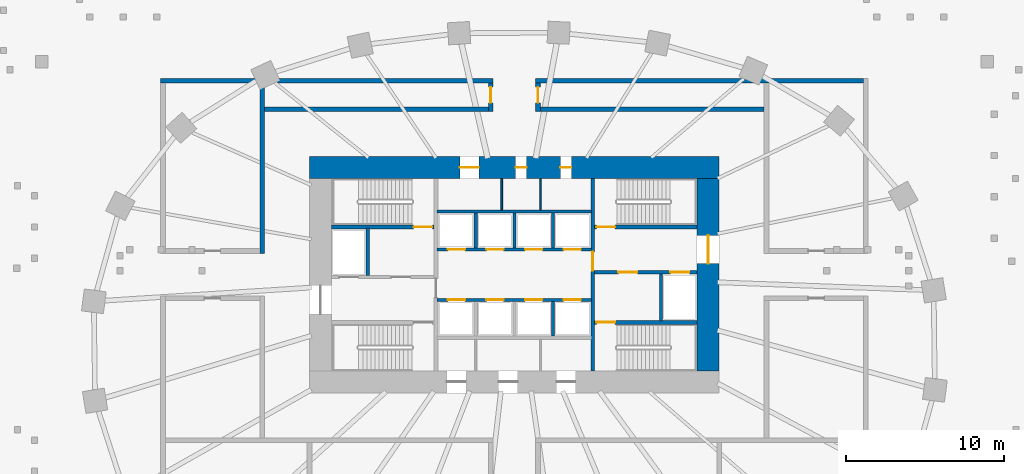
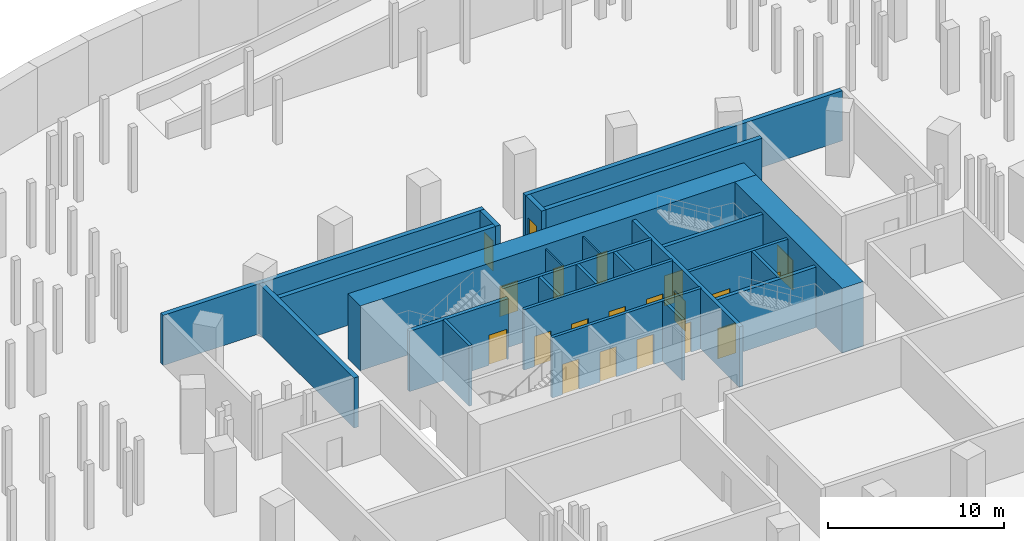
# One storey, part 5 of 9: 25 walls, 20 doors, 20 openings.
"""IFC4 building model written with IfcOpenShell, lengths in metres."""

from ifc_helpers import new_model, si_unit, direction, frame, frame_2d, origin, place, context, subcontext, project, spatial, rectangle, extrude, material, layer, layer_set, type_object, element, fill, save


model = new_model("IFC4")

# Units and contexts
model_context = context("Model", 3, precision=1e-05, world=origin(), true_north=direction((0.0, 1.0)))
body_context = subcontext(model_context, "Body", "Model", "MODEL_VIEW")
ifc_project = project(units=[si_unit("LENGTHUNIT", "METRE"), si_unit("AREAUNIT", "SQUARE_METRE"), si_unit("VOLUMEUNIT", "CUBIC_METRE"), si_unit("PLANEANGLEUNIT", "RADIAN"), si_unit("MASSUNIT", "GRAM", prefix="KILO")], contexts=[model_context])

# Site, building, storey
site_placement = place(None, origin())
site = spatial("IfcSite", under=ifc_project, at=site_placement, CompositionType="ELEMENT")
building_placement = place(site_placement, origin())
building = spatial("IfcBuilding", under=site, at=building_placement, Name="Rubra Terraces Tower", CompositionType="ELEMENT")
storey_placement = place(building_placement, frame((0.0, 0.0, -10.5)))
storey = spatial("IfcBuildingStorey", under=building, at=storey_placement, Name="B2", CompositionType="ELEMENT", Elevation=-10.5)

# Wall, openings, doors
ifc_material_1 = material(Name="Concrete C70", Category="concrete")
ifc_layer_1 = layer(ifc_material_1, 1.39990234375)
ifc_layer_set_1 = layer_set([ifc_layer_1], Name="Concrete C70")
wall_type_1 = type_object("IfcWallType", Name="CORE WALL 1400 C70", PredefinedType="SHEAR", material=ifc_layer_set_1)
wall_1_placement = place(storey_placement, frame((-13.0, 11.300048828125, 0.0), z_axis=(0.0, 0.0, 1.0), x_axis=(1.0, 0.0, 0.0)))
wall_1 = element("IfcWall", 1, at=wall_1_placement, inside=storey, type_object=wall_type_1, Name="CORE WALL N B2", PredefinedType="SHEAR", context=body_context, shape_type="SweptSolid", body=[
    extrude(rectangle(XDim=26.0, YDim=1.39990234375, at=frame_2d((13.0, 0.0))), origin(), (0.0, 0.0, 1.0), 4.5),
])
opening_1_placement = place(wall_1_placement, frame((9.550048828125, 0.0, 0.0)))
opening_1 = element("IfcOpeningElement", 2, at=opening_1_placement, cuts=wall_1, Name="Opening B2.C24", PredefinedType="OPENING", context=body_context, shape_type="SweptSolid", body=[
    extrude(rectangle(XDim=1.199951171875, YDim=2.10009765625, at=frame_2d((0.60009765625, 1.050048828125))), frame((0.0, 0.7099609375, 0.0), z_axis=(0.0, -1.0, 0.0), x_axis=(1.0, 0.0, 0.0)), (0.0, 0.0, 1.0), 1.419921875),
])
opening_2_placement = place(wall_1_placement, frame((13.074951171875, 0.0, 0.0)))
opening_2 = element("IfcOpeningElement", 3, at=opening_2_placement, cuts=wall_1, Name="Opening B2.C25", PredefinedType="OPENING", context=body_context, shape_type="SweptSolid", body=[
    extrude(rectangle(XDim=0.699951171875, YDim=2.10009765625, at=frame_2d((0.35009765625, 1.050048828125))), frame((0.0, 0.7099609375, 0.0), z_axis=(0.0, -1.0, 0.0), x_axis=(1.0, 0.0, 0.0)), (0.0, 0.0, 1.0), 1.419921875),
])
opening_3_placement = place(wall_1_placement, frame((15.925048828125, 0.0, 0.0)))
opening_3 = element("IfcOpeningElement", 4, at=opening_3_placement, cuts=wall_1, Name="Opening B2.C26", PredefinedType="OPENING", context=body_context, shape_type="SweptSolid", body=[
    extrude(rectangle(XDim=0.699951171875, YDim=2.10009765625, at=frame_2d((0.35009765625, 1.050048828125))), frame((0.0, 0.7099609375, 0.0), z_axis=(0.0, -1.0, 0.0), x_axis=(1.0, 0.0, 0.0)), (0.0, 0.0, 1.0), 1.419921875),
])
ifc_material_2 = material(Name="Painted steel", Category="steel")
door_type_1 = type_object("IfcDoorType", Name="Fire door 1200x2100 single", OperationType="NOTDEFINED", PredefinedType="DOOR", material=ifc_material_2)
door_1_placement = place(opening_1_placement, origin())
door_1 = element("IfcDoor", 5, at=door_1_placement, inside=storey, type_object=door_type_1, Name="Air handling plant room door", OperationType="SINGLE_SWING_RIGHT", OverallHeight=2.10009765625, OverallWidth=1.199951171875, PredefinedType="DOOR", context=body_context, shape_type="SweptSolid", body=[
    extrude(rectangle(XDim=1.199951171875, YDim=2.10009765625, at=frame_2d((0.60009765625, 1.050048828125))), frame((0.0, 0.02490234375, 0.0), z_axis=(0.0, -1.0, 0.0), x_axis=(1.0, 0.0, 0.0)), (0.0, 0.0, 1.0), 0.050048828125),
])
fill(opening_1, door_1)
door_type_2 = type_object("IfcDoorType", Name="Riser access door 700x2100 single", OperationType="NOTDEFINED", PredefinedType="DOOR", material=ifc_material_2)
door_2_placement = place(opening_2_placement, origin())
door_2 = element("IfcDoor", 6, at=door_2_placement, inside=storey, type_object=door_type_2, Name="Electrical riser room door", OperationType="SINGLE_SWING_LEFT", OverallHeight=2.10009765625, OverallWidth=0.699951171875, PredefinedType="DOOR", context=body_context, shape_type="SweptSolid", body=[
    extrude(rectangle(XDim=0.699951171875, YDim=2.10009765625, at=frame_2d((0.35009765625, 1.050048828125))), frame((0.0, 0.02490234375, 0.0), z_axis=(0.0, -1.0, 0.0), x_axis=(1.0, 0.0, 0.0)), (0.0, 0.0, 1.0), 0.050048828125),
])
fill(opening_2, door_2)
door_3_placement = place(opening_3_placement, origin())
door_3 = element("IfcDoor", 7, at=door_3_placement, inside=storey, type_object=door_type_2, Name="Water and drainage riser door", OperationType="SINGLE_SWING_RIGHT", OverallHeight=2.10009765625, OverallWidth=0.699951171875, PredefinedType="DOOR", context=body_context, shape_type="SweptSolid", body=[
    extrude(rectangle(XDim=0.699951171875, YDim=2.10009765625, at=frame_2d((0.35009765625, 1.050048828125))), frame((0.0, 0.02490234375, 0.0), z_axis=(0.0, -1.0, 0.0), x_axis=(1.0, 0.0, 0.0)), (0.0, 0.0, 1.0), 0.050048828125),
])
fill(opening_3, door_3)

# Wall, opening, door
wall_2_placement = place(storey_placement, frame((12.300048828125, -1.60009765625, 0.0), z_axis=(0.0, 0.0, 1.0), x_axis=(0.0, 1.0, 0.0)))
wall_2 = element("IfcWall", 8, at=wall_2_placement, inside=storey, type_object=wall_type_1, Name="CORE WALL E B2", PredefinedType="SHEAR", context=body_context, shape_type="SweptSolid", body=[
    extrude(rectangle(XDim=12.2001953125, YDim=1.39990234375, at=frame_2d((6.10009765625, 0.0))), origin(), (0.0, 0.0, 1.0), 4.5),
])
opening_4_placement = place(wall_2_placement, frame((6.800048828125, 0.0, 0.0)))
opening_4 = element("IfcOpeningElement", 9, at=opening_4_placement, cuts=wall_2, Name="Opening B2.C02", PredefinedType="OPENING", context=body_context, shape_type="SweptSolid", body=[
    extrude(rectangle(XDim=1.800048828125, YDim=2.10009765625, at=frame_2d((0.89990234375, 1.050048828125))), frame((0.0, 0.7099609375, 0.0), z_axis=(0.0, -1.0, 0.0), x_axis=(1.0, 0.0, 0.0)), (0.0, 0.0, 1.0), 1.419921875),
])
door_type_3 = type_object("IfcDoorType", Name="Fire door 1800x2100 double", OperationType="NOTDEFINED", PredefinedType="DOOR", material=ifc_material_2)
door_4_placement = place(opening_4_placement, origin())
door_4 = element("IfcDoor", 10, at=door_4_placement, inside=storey, type_object=door_type_3, Name="Core entrance door FF2", OperationType="DOUBLE_DOOR_SINGLE_SWING", OverallHeight=2.10009765625, OverallWidth=1.800048828125, PredefinedType="DOOR", context=body_context, shape_type="SweptSolid", body=[
    extrude(rectangle(XDim=1.800048828125, YDim=2.10009765625, at=frame_2d((0.89990234375, 1.050048828125))), frame((0.0, 0.02490234375, 0.0), z_axis=(0.0, -1.0, 0.0), x_axis=(1.0, 0.0, 0.0)), (0.0, 0.0, 1.0), 0.050048828125),
])
fill(opening_4, door_4)

# Wall, openings, doors
ifc_material_3 = material(Name="Concrete C30", Category="concrete")
ifc_layer_2 = layer(ifc_material_3, 0.199951171875)
ifc_layer_set_2 = layer_set([ifc_layer_2], Name="Concrete C30")
wall_type_2 = type_object("IfcWallType", Name="Core wall 200 concrete", PredefinedType="SOLIDWALL", material=ifc_layer_set_2)
wall_3_placement = place(storey_placement, frame((11.60009765625, 4.64990234375, 0.0), z_axis=(0.0, 0.0, 1.0), x_axis=(-1.0, 0.0, 0.0)))
wall_3 = element("IfcWall", 11, at=wall_3_placement, inside=storey, type_object=wall_type_2, Name="STAIR WALL B2", PredefinedType="SOLIDWALL", context=body_context, shape_type="SweptSolid", body=[
    extrude(rectangle(XDim=6.5, YDim=0.199951171875, at=frame_2d((3.25, 0.0))), origin(), (0.0, 0.0, 1.0), 4.199951171875),
])
opening_5_placement = place(wall_3_placement, frame((3.800048828125, 0.0, 0.0)))
opening_5 = element("IfcOpeningElement", 12, at=opening_5_placement, cuts=wall_3, Name="Opening B2.C06", PredefinedType="OPENING", context=body_context, shape_type="SweptSolid", body=[
    extrude(rectangle(XDim=1.199951171875, YDim=2.10009765625, at=frame_2d((0.60009765625, 1.050048828125))), frame((0.0, 0.10986328125, 0.0), z_axis=(0.0, -1.0, 0.0), x_axis=(1.0, 0.0, 0.0)), (0.0, 0.0, 1.0), 0.219970703125),
])
opening_6_placement = place(wall_3_placement, frame((0.5, 0.0, 0.0)))
opening_6 = element("IfcOpeningElement", 13, at=opening_6_placement, cuts=wall_3, Name="Opening B2.C12", PredefinedType="OPENING", context=body_context, shape_type="SweptSolid", body=[
    extrude(rectangle(XDim=1.199951171875, YDim=2.10009765625, at=frame_2d((0.60009765625, 1.050048828125))), frame((0.0, 0.10986328125, 0.0), z_axis=(0.0, -1.0, 0.0), x_axis=(1.0, 0.0, 0.0)), (0.0, 0.0, 1.0), 0.219970703125),
])
door_5_placement = place(opening_5_placement, origin())
door_5 = element("IfcDoor", 14, at=door_5_placement, inside=storey, type_object=door_type_1, Name="Stair vestibule door S4", OperationType="SINGLE_SWING_RIGHT", OverallHeight=2.10009765625, OverallWidth=1.199951171875, PredefinedType="DOOR", context=body_context, shape_type="SweptSolid", body=[
    extrude(rectangle(XDim=1.199951171875, YDim=2.10009765625, at=frame_2d((0.60009765625, 1.050048828125))), frame((0.0, 0.02490234375, 0.0), z_axis=(0.0, -1.0, 0.0), x_axis=(1.0, 0.0, 0.0)), (0.0, 0.0, 1.0), 0.050048828125),
])
fill(opening_5, door_5)
ifc_material_4 = material(Name="Stainless steel", Category="steel")
door_type_4 = type_object("IfcDoorType", Name="Lift landing door 1200x2100", OperationType="NOTDEFINED", PredefinedType="DOOR", material=ifc_material_4)
door_6_placement = place(opening_6_placement, origin())
door_6 = element("IfcDoor", 15, at=door_6_placement, inside=storey, type_object=door_type_4, Name="Landing door FF2", OperationType="SLIDING_TO_RIGHT", OverallHeight=2.10009765625, OverallWidth=1.199951171875, PredefinedType="DOOR", context=body_context, shape_type="SweptSolid", body=[
    extrude(rectangle(XDim=1.199951171875, YDim=2.10009765625, at=frame_2d((0.60009765625, 1.050048828125))), frame((0.0, 0.02490234375, 0.0), z_axis=(0.0, -1.0, 0.0), x_axis=(1.0, 0.0, 0.0)), (0.0, 0.0, 1.0), 0.050048828125),
])
fill(opening_6, door_6)

# Walls
for number, where, z_axis, x_axis, name in (
    (16, (-9.300048828125, 4.449951171875, 0.0), (0.0, 0.0, 1.0), (0.0, 1.0, 0.0), "STAIR WALL B2"),
    (17, (9.300048828125, 4.550048828125, 0.0), (0.0, 0.0, 1.0), (0.0, -1.0, 0.0), "STAIR WALL B2"),
):
    element("IfcWall", number, at=place(storey_placement, frame(where, z_axis=z_axis, x_axis=x_axis)), inside=storey, type_object=wall_type_2, Name=name, PredefinedType="SOLIDWALL", context=body_context, shape_type="SweptSolid", body=[
        extrude(rectangle(XDim=3.0, YDim=0.199951171875, at=frame_2d((1.5, 0.0))), origin(), (0.0, 0.0, 1.0), 4.199951171875),
    ])

# Wall, openings, doors
wall_4_placement = place(storey_placement, frame((-4.89990234375, 2.89990234375, 0.0), z_axis=(0.0, 0.0, 1.0), x_axis=(1.0, 0.0, 0.0)))
wall_4 = element("IfcWall", 18, at=wall_4_placement, inside=storey, type_object=wall_type_2, Name="LIFT SHAFT WALL B2", PredefinedType="SOLIDWALL", context=body_context, shape_type="SweptSolid", body=[
    extrude(rectangle(XDim=9.7998046875, YDim=0.199951171875, at=frame_2d((4.89990234375, 0.0))), origin(), (0.0, 0.0, 1.0), 4.199951171875),
])
opening_7_placement = place(wall_4_placement, frame((0.675048828125, 0.0, 0.0)))
opening_7 = element("IfcOpeningElement", 19, at=opening_7_placement, cuts=wall_4, Name="Opening B2.C13", PredefinedType="OPENING", context=body_context, shape_type="SweptSolid", body=[
    extrude(rectangle(XDim=1.10009765625, YDim=2.10009765625, at=frame_2d((0.550048828125, 1.050048828125))), frame((0.0, 0.10986328125, 0.0), z_axis=(0.0, -1.0, 0.0), x_axis=(1.0, 0.0, 0.0)), (0.0, 0.0, 1.0), 0.219970703125),
])
opening_8_placement = place(wall_4_placement, frame((3.125, 0.0, 0.0)))
opening_8 = element("IfcOpeningElement", 20, at=opening_8_placement, cuts=wall_4, Name="Opening B2.C14", PredefinedType="OPENING", context=body_context, shape_type="SweptSolid", body=[
    extrude(rectangle(XDim=1.10009765625, YDim=2.10009765625, at=frame_2d((0.550048828125, 1.050048828125))), frame((0.0, 0.10986328125, 0.0), z_axis=(0.0, -1.0, 0.0), x_axis=(1.0, 0.0, 0.0)), (0.0, 0.0, 1.0), 0.219970703125),
])
opening_9_placement = place(wall_4_placement, frame((5.574951171875, 0.0, 0.0)))
opening_9 = element("IfcOpeningElement", 21, at=opening_9_placement, cuts=wall_4, Name="Opening B2.C15", PredefinedType="OPENING", context=body_context, shape_type="SweptSolid", body=[
    extrude(rectangle(XDim=1.10009765625, YDim=2.10009765625, at=frame_2d((0.550048828125, 1.050048828125))), frame((0.0, 0.10986328125, 0.0), z_axis=(0.0, -1.0, 0.0), x_axis=(1.0, 0.0, 0.0)), (0.0, 0.0, 1.0), 0.219970703125),
])
opening_10_placement = place(wall_4_placement, frame((8.02490234375, 0.0, 0.0)))
opening_10 = element("IfcOpeningElement", 22, at=opening_10_placement, cuts=wall_4, Name="Opening B2.C16", PredefinedType="OPENING", context=body_context, shape_type="SweptSolid", body=[
    extrude(rectangle(XDim=1.10009765625, YDim=2.10009765625, at=frame_2d((0.550048828125, 1.050048828125))), frame((0.0, 0.10986328125, 0.0), z_axis=(0.0, -1.0, 0.0), x_axis=(1.0, 0.0, 0.0)), (0.0, 0.0, 1.0), 0.219970703125),
])
door_type_5 = type_object("IfcDoorType", Name="Lift landing door 1100x2100", OperationType="NOTDEFINED", PredefinedType="DOOR", material=ifc_material_4)
door_7_placement = place(opening_7_placement, origin())
door_7 = element("IfcDoor", 23, at=door_7_placement, inside=storey, type_object=door_type_5, Name="Landing door LB1", OperationType="SLIDING_TO_RIGHT", OverallHeight=2.10009765625, OverallWidth=1.10009765625, PredefinedType="DOOR", context=body_context, shape_type="SweptSolid", body=[
    extrude(rectangle(XDim=1.10009765625, YDim=2.10009765625, at=frame_2d((0.550048828125, 1.050048828125))), frame((0.0, 0.02490234375, 0.0), z_axis=(0.0, -1.0, 0.0), x_axis=(1.0, 0.0, 0.0)), (0.0, 0.0, 1.0), 0.050048828125),
])
fill(opening_7, door_7)
door_8_placement = place(opening_8_placement, origin())
door_8 = element("IfcDoor", 24, at=door_8_placement, inside=storey, type_object=door_type_5, Name="Landing door LB2", OperationType="SLIDING_TO_LEFT", OverallHeight=2.10009765625, OverallWidth=1.10009765625, PredefinedType="DOOR", context=body_context, shape_type="SweptSolid", body=[
    extrude(rectangle(XDim=1.10009765625, YDim=2.10009765625, at=frame_2d((0.550048828125, 1.050048828125))), frame((0.0, 0.02490234375, 0.0), z_axis=(0.0, -1.0, 0.0), x_axis=(1.0, 0.0, 0.0)), (0.0, 0.0, 1.0), 0.050048828125),
])
fill(opening_8, door_8)
door_9_placement = place(opening_9_placement, origin())
door_9 = element("IfcDoor", 25, at=door_9_placement, inside=storey, type_object=door_type_5, Name="Landing door SH1", OperationType="SLIDING_TO_LEFT", OverallHeight=2.10009765625, OverallWidth=1.10009765625, PredefinedType="DOOR", context=body_context, shape_type="SweptSolid", body=[
    extrude(rectangle(XDim=1.10009765625, YDim=2.10009765625, at=frame_2d((0.550048828125, 1.050048828125))), frame((0.0, 0.02490234375, 0.0), z_axis=(0.0, -1.0, 0.0), x_axis=(1.0, 0.0, 0.0)), (0.0, 0.0, 1.0), 0.050048828125),
])
fill(opening_9, door_9)
door_10_placement = place(opening_10_placement, origin())
door_10 = element("IfcDoor", 26, at=door_10_placement, inside=storey, type_object=door_type_5, Name="Landing door SH2", OperationType="SLIDING_TO_RIGHT", OverallHeight=2.10009765625, OverallWidth=1.10009765625, PredefinedType="DOOR", context=body_context, shape_type="SweptSolid", body=[
    extrude(rectangle(XDim=1.10009765625, YDim=2.10009765625, at=frame_2d((0.550048828125, 1.050048828125))), frame((0.0, 0.02490234375, 0.0), z_axis=(0.0, -1.0, 0.0), x_axis=(1.0, 0.0, 0.0)), (0.0, 0.0, 1.0), 0.050048828125),
])
fill(opening_10, door_10)

wall_5_placement = place(storey_placement, frame((-4.89990234375, 6.10009765625, 0.0), z_axis=(0.0, 0.0, 1.0), x_axis=(1.0, 0.0, 0.0)))
wall_5 = element("IfcWall", 27, at=wall_5_placement, inside=storey, type_object=wall_type_2, Name="LIFT SHAFT WALL B2", PredefinedType="SOLIDWALL", context=body_context, shape_type="SweptSolid", body=[
    extrude(rectangle(XDim=9.7998046875, YDim=0.199951171875, at=frame_2d((4.89990234375, 0.0))), origin(), (0.0, 0.0, 1.0), 4.199951171875),
])
opening_11_placement = place(wall_5_placement, frame((0.675048828125, 0.0, 0.0)))
opening_11 = element("IfcOpeningElement", 28, at=opening_11_placement, cuts=wall_5, Name="Opening B2.C17", PredefinedType="OPENING", context=body_context, shape_type="SweptSolid", body=[
    extrude(rectangle(XDim=1.10009765625, YDim=2.10009765625, at=frame_2d((0.550048828125, 1.050048828125))), frame((0.0, 0.10986328125, 0.0), z_axis=(0.0, -1.0, 0.0), x_axis=(1.0, 0.0, 0.0)), (0.0, 0.0, 1.0), 0.219970703125),
])
opening_12_placement = place(wall_5_placement, frame((3.125, 0.0, 0.0)))
opening_12 = element("IfcOpeningElement", 29, at=opening_12_placement, cuts=wall_5, Name="Opening B2.C18", PredefinedType="OPENING", context=body_context, shape_type="SweptSolid", body=[
    extrude(rectangle(XDim=1.10009765625, YDim=2.10009765625, at=frame_2d((0.550048828125, 1.050048828125))), frame((0.0, 0.10986328125, 0.0), z_axis=(0.0, -1.0, 0.0), x_axis=(1.0, 0.0, 0.0)), (0.0, 0.0, 1.0), 0.219970703125),
])
opening_13_placement = place(wall_5_placement, frame((5.574951171875, 0.0, 0.0)))
opening_13 = element("IfcOpeningElement", 30, at=opening_13_placement, cuts=wall_5, Name="Opening B2.C19", PredefinedType="OPENING", context=body_context, shape_type="SweptSolid", body=[
    extrude(rectangle(XDim=1.10009765625, YDim=2.10009765625, at=frame_2d((0.550048828125, 1.050048828125))), frame((0.0, 0.10986328125, 0.0), z_axis=(0.0, -1.0, 0.0), x_axis=(1.0, 0.0, 0.0)), (0.0, 0.0, 1.0), 0.219970703125),
])
opening_14_placement = place(wall_5_placement, frame((8.02490234375, 0.0, 0.0)))
opening_14 = element("IfcOpeningElement", 31, at=opening_14_placement, cuts=wall_5, Name="Opening B2.C20", PredefinedType="OPENING", context=body_context, shape_type="SweptSolid", body=[
    extrude(rectangle(XDim=1.10009765625, YDim=2.10009765625, at=frame_2d((0.550048828125, 1.050048828125))), frame((0.0, 0.10986328125, 0.0), z_axis=(0.0, -1.0, 0.0), x_axis=(1.0, 0.0, 0.0)), (0.0, 0.0, 1.0), 0.219970703125),
])
door_11_placement = place(opening_11_placement, origin())
door_11 = element("IfcDoor", 32, at=door_11_placement, inside=storey, type_object=door_type_5, Name="Landing door LB3", OperationType="SLIDING_TO_RIGHT", OverallHeight=2.10009765625, OverallWidth=1.10009765625, PredefinedType="DOOR", context=body_context, shape_type="SweptSolid", body=[
    extrude(rectangle(XDim=1.10009765625, YDim=2.10009765625, at=frame_2d((0.550048828125, 1.050048828125))), frame((0.0, 0.02490234375, 0.0), z_axis=(0.0, -1.0, 0.0), x_axis=(1.0, 0.0, 0.0)), (0.0, 0.0, 1.0), 0.050048828125),
])
fill(opening_11, door_11)
door_12_placement = place(opening_12_placement, origin())
door_12 = element("IfcDoor", 33, at=door_12_placement, inside=storey, type_object=door_type_5, Name="Landing door LB4", OperationType="SLIDING_TO_LEFT", OverallHeight=2.10009765625, OverallWidth=1.10009765625, PredefinedType="DOOR", context=body_context, shape_type="SweptSolid", body=[
    extrude(rectangle(XDim=1.10009765625, YDim=2.10009765625, at=frame_2d((0.550048828125, 1.050048828125))), frame((0.0, 0.02490234375, 0.0), z_axis=(0.0, -1.0, 0.0), x_axis=(1.0, 0.0, 0.0)), (0.0, 0.0, 1.0), 0.050048828125),
])
fill(opening_12, door_12)
door_13_placement = place(opening_13_placement, origin())
door_13 = element("IfcDoor", 34, at=door_13_placement, inside=storey, type_object=door_type_5, Name="Landing door LB5", OperationType="SLIDING_TO_RIGHT", OverallHeight=2.10009765625, OverallWidth=1.10009765625, PredefinedType="DOOR", context=body_context, shape_type="SweptSolid", body=[
    extrude(rectangle(XDim=1.10009765625, YDim=2.10009765625, at=frame_2d((0.550048828125, 1.050048828125))), frame((0.0, 0.02490234375, 0.0), z_axis=(0.0, -1.0, 0.0), x_axis=(1.0, 0.0, 0.0)), (0.0, 0.0, 1.0), 0.050048828125),
])
fill(opening_13, door_13)
door_14_placement = place(opening_14_placement, origin())
door_14 = element("IfcDoor", 35, at=door_14_placement, inside=storey, type_object=door_type_5, Name="Landing door LB6", OperationType="SLIDING_TO_LEFT", OverallHeight=2.10009765625, OverallWidth=1.10009765625, PredefinedType="DOOR", context=body_context, shape_type="SweptSolid", body=[
    extrude(rectangle(XDim=1.10009765625, YDim=2.10009765625, at=frame_2d((0.550048828125, 1.050048828125))), frame((0.0, 0.02490234375, 0.0), z_axis=(0.0, -1.0, 0.0), x_axis=(1.0, 0.0, 0.0)), (0.0, 0.0, 1.0), 0.050048828125),
])
fill(opening_14, door_14)

# Walls
wall_6_placement = place(storey_placement, frame((-4.89990234375, 8.5, 0.0), z_axis=(0.0, 0.0, 1.0), x_axis=(1.0, 0.0, 0.0)))
element("IfcWall", 36, at=wall_6_placement, inside=storey, type_object=wall_type_2, Name="LIFT SHAFT WALL B2", PredefinedType="SOLIDWALL", context=body_context, shape_type="SweptSolid", body=[
    extrude(rectangle(XDim=9.7998046875, YDim=0.199951171875, at=frame_2d((4.89990234375, 0.0))), origin(), (0.0, 0.0, 1.0), 4.199951171875),
])
for number, where, z_axis, x_axis, name in (
    (37, (2.449951171875, 0.60009765625, 0.0), (0.0, 0.0, 1.0), (0.0, 1.0, 0.0), "LIFT SHAFT WALL B2"),
    (38, (-2.449951171875, 6.199951171875, 0.0), (0.0, 0.0, 1.0), (0.0, 1.0, 0.0), "LIFT SHAFT WALL B2"),
    (39, (0.0, 6.199951171875, 0.0), (0.0, 0.0, 1.0), (0.0, 1.0, 0.0), "LIFT SHAFT WALL B2"),
    (40, (2.449951171875, 6.199951171875, 0.0), (0.0, 0.0, 1.0), (0.0, 1.0, 0.0), "LIFT SHAFT WALL B2"),
):
    element("IfcWall", number, at=place(storey_placement, frame(where, z_axis=z_axis, x_axis=x_axis)), inside=storey, type_object=wall_type_2, Name=name, PredefinedType="SOLIDWALL", context=body_context, shape_type="SweptSolid", body=[
        extrude(rectangle(XDim=2.199951171875, YDim=0.199951171875, at=frame_2d((1.10009765625, 0.0))), origin(), (0.0, 0.0, 1.0), 4.199951171875),
    ])
ifc_material_5 = material(Name="Blockwork", Category="masonry")
ifc_layer_3 = layer(ifc_material_5, 0.300048828125)
ifc_layer_set_3 = layer_set([ifc_layer_3], Name="Blockwork")
wall_type_3 = type_object("IfcWallType", Name="Plant wall 300 blockwork", PredefinedType="SOLIDWALL", material=ifc_layer_set_3)
wall_7_placement = place(storey_placement, frame((-16.0, 5.85009765625, 0.0), z_axis=(0.0, 0.0, 1.0), x_axis=(0.0, 1.0, 0.0)))
element("IfcWall", 41, at=wall_7_placement, inside=storey, type_object=wall_type_3, Name="Plant room wall", PredefinedType="SOLIDWALL", context=body_context, shape_type="SweptSolid", body=[
    extrude(rectangle(XDim=10.7998046875, YDim=0.300048828125, at=frame_2d((5.39990234375, 0.0))), origin(), (0.0, 0.0, 1.0), 3.47998046875),
])
wall_8_placement = place(storey_placement, frame((-1.35009765625, 16.800048828125, 0.0), z_axis=(0.0, 0.0, 1.0), x_axis=(-1.0, 0.0, 0.0)))
element("IfcWall", 42, at=wall_8_placement, inside=storey, type_object=wall_type_3, Name="Plant room wall", PredefinedType="SOLIDWALL", context=body_context, shape_type="SweptSolid", body=[
    extrude(rectangle(XDim=21.099853515625, YDim=0.300048828125, at=frame_2d((10.5498046875, 0.0))), origin(), (0.0, 0.0, 1.0), 3.47998046875),
])
wall_9_placement = place(storey_placement, frame((22.14990234375, 16.800048828125, 0.0), z_axis=(0.0, 0.0, 1.0), x_axis=(-1.0, 0.0, 0.0)))
element("IfcWall", 43, at=wall_9_placement, inside=storey, type_object=wall_type_3, Name="Plant room wall", PredefinedType="SOLIDWALL", context=body_context, shape_type="SweptSolid", body=[
    extrude(rectangle(XDim=20.7998046875, YDim=0.300048828125, at=frame_2d((10.39990234375, 0.0))), origin(), (0.0, 0.0, 1.0), 3.47998046875),
])

# Wall, opening, door
wall_10_placement = place(storey_placement, frame((-1.5, 14.85009765625, 0.0), z_axis=(0.0, 0.0, 1.0), x_axis=(0.0, 1.0, 0.0)))
wall_10 = element("IfcWall", 44, at=wall_10_placement, inside=storey, type_object=wall_type_3, Name="Plant room wall", PredefinedType="SOLIDWALL", context=body_context, shape_type="SweptSolid", body=[
    extrude(rectangle(XDim=1.7998046875, YDim=0.300048828125, at=frame_2d((0.89990234375, 0.0))), origin(), (0.0, 0.0, 1.0), 3.47998046875),
])
opening_15_placement = place(wall_10_placement, frame((0.550048828125, 0.0, 0.0)))
opening_15 = element("IfcOpeningElement", 45, at=opening_15_placement, cuts=wall_10, Name="Opening DB1", PredefinedType="OPENING", context=body_context, shape_type="SweptSolid", body=[
    extrude(rectangle(XDim=1.0, YDim=2.10009765625, at=frame_2d((0.5, 1.050048828125))), frame((0.0, 0.159912109375, 0.0), z_axis=(0.0, -1.0, 0.0), x_axis=(1.0, 0.0, 0.0)), (0.0, 0.0, 1.0), 0.320068359375),
])
ifc_material_6 = material(Name="Painted timber", Category="wood")
door_type_6 = type_object("IfcDoorType", Name="Door 1000x2100 single", OperationType="NOTDEFINED", PredefinedType="DOOR", material=ifc_material_6)
door_15_placement = place(opening_15_placement, origin())
door_15 = element("IfcDoor", 46, at=door_15_placement, inside=storey, type_object=door_type_6, Name="Plant room door B2-09", OperationType="SINGLE_SWING_LEFT", OverallHeight=2.10009765625, OverallWidth=1.0, PredefinedType="DOOR", context=body_context, shape_type="SweptSolid", body=[
    extrude(rectangle(XDim=1.0, YDim=2.10009765625, at=frame_2d((0.5, 1.050048828125))), frame((0.0, 0.02490234375, 0.0), z_axis=(0.0, -1.0, 0.0), x_axis=(1.0, 0.0, 0.0)), (0.0, 0.0, 1.0), 0.050048828125),
])
fill(opening_15, door_15)

# Wall
wall_11_placement = place(storey_placement, frame((-15.85009765625, 15.0, 0.0), z_axis=(0.0, 0.0, 1.0), x_axis=(1.0, 0.0, 0.0)))
element("IfcWall", 47, at=wall_11_placement, inside=storey, type_object=wall_type_3, Name="Plant room wall", PredefinedType="SOLIDWALL", context=body_context, shape_type="SweptSolid", body=[
    extrude(rectangle(XDim=14.2001953125, YDim=0.300048828125, at=frame_2d((7.10009765625, 0.0))), origin(), (0.0, 0.0, 1.0), 3.47998046875),
])

# Wall, opening, door
wall_12_placement = place(storey_placement, frame((1.5, 16.64990234375, 0.0), z_axis=(0.0, 0.0, 1.0), x_axis=(0.0, -1.0, 0.0)))
wall_12 = element("IfcWall", 48, at=wall_12_placement, inside=storey, type_object=wall_type_3, Name="Plant room wall", PredefinedType="SOLIDWALL", context=body_context, shape_type="SweptSolid", body=[
    extrude(rectangle(XDim=1.7998046875, YDim=0.300048828125, at=frame_2d((0.89990234375, 0.0))), origin(), (0.0, 0.0, 1.0), 3.47998046875),
])
opening_16_placement = place(wall_12_placement, frame((0.25, 0.0, 0.0)))
opening_16 = element("IfcOpeningElement", 49, at=opening_16_placement, cuts=wall_12, Name="Opening DB1", PredefinedType="OPENING", context=body_context, shape_type="SweptSolid", body=[
    extrude(rectangle(XDim=1.0, YDim=2.10009765625, at=frame_2d((0.5, 1.050048828125))), frame((0.0, 0.159912109375, 0.0), z_axis=(0.0, -1.0, 0.0), x_axis=(1.0, 0.0, 0.0)), (0.0, 0.0, 1.0), 0.320068359375),
])
door_16_placement = place(opening_16_placement, origin())
door_16 = element("IfcDoor", 50, at=door_16_placement, inside=storey, type_object=door_type_6, Name="Plant room door B2-10", OperationType="SINGLE_SWING_LEFT", OverallHeight=2.10009765625, OverallWidth=1.0, PredefinedType="DOOR", context=body_context, shape_type="SweptSolid", body=[
    extrude(rectangle(XDim=1.0, YDim=2.10009765625, at=frame_2d((0.5, 1.050048828125))), frame((0.0, 0.02490234375, 0.0), z_axis=(0.0, -1.0, 0.0), x_axis=(1.0, 0.0, 0.0)), (0.0, 0.0, 1.0), 0.050048828125),
])
fill(opening_16, door_16)

# Walls
wall_13_placement = place(storey_placement, frame((1.64990234375, 15.0, 0.0), z_axis=(0.0, 0.0, 1.0), x_axis=(1.0, 0.0, 0.0)))
element("IfcWall", 51, at=wall_13_placement, inside=storey, type_object=wall_type_3, Name="Plant room wall", PredefinedType="SOLIDWALL", context=body_context, shape_type="SweptSolid", body=[
    extrude(rectangle(XDim=14.2001953125, YDim=0.300048828125, at=frame_2d((7.10009765625, 0.0))), origin(), (0.0, 0.0, 1.0), 3.47998046875),
])
ifc_layer_4 = layer(ifc_material_5, 0.10009765625)
ifc_layer_set_4 = layer_set([ifc_layer_4], Name="Blockwork")
wall_type_4 = type_object("IfcWallType", Name="Service partition 100 blockwork", PredefinedType="PARTITIONING", material=ifc_layer_set_4)
for number, where, z_axis, x_axis, name in (
    (52, (-0.800048828125, 8.60009765625, 0.0), (0.0, 0.0, 1.0), (0.0, 1.0, 0.0), "SERVICE ROOM PARTITION B2"),
    (53, (1.64990234375, 8.60009765625, 0.0), (0.0, 0.0, 1.0), (0.0, 1.0, 0.0), "SERVICE ROOM PARTITION B2"),
):
    element("IfcWall", number, at=place(storey_placement, frame(where, z_axis=z_axis, x_axis=x_axis)), inside=storey, type_object=wall_type_4, Name=name, PredefinedType="PARTITIONING", context=body_context, shape_type="SweptSolid", body=[
        extrude(rectangle(XDim=2.0, YDim=0.10009765625, at=frame_2d((1.0, 0.0))), origin(), (0.0, 0.0, 1.0), 4.199951171875),
    ])

# Wall, opening, door
ifc_material_7 = material(Name="Concrete C40", Category="concrete")
ifc_layer_5 = layer(ifc_material_7, 0.25)
ifc_layer_set_5 = layer_set([ifc_layer_5], Name="Concrete C40")
wall_type_5 = type_object("IfcWallType", Name="Stair enclosure wall 250 concrete", PredefinedType="SOLIDWALL", material=ifc_layer_set_5)
wall_14_placement = place(storey_placement, frame((11.60009765625, 7.52490234375, 0.0), z_axis=(0.0, 0.0, 1.0), x_axis=(-1.0, 0.0, 0.0)))
wall_14 = element("IfcWall", 54, at=wall_14_placement, inside=storey, type_object=wall_type_5, Name="STAIR WALL B2", PredefinedType="SOLIDWALL", context=body_context, shape_type="SweptSolid", body=[
    extrude(rectangle(XDim=6.5, YDim=0.25, at=frame_2d((3.25, 0.0))), origin(), (0.0, 0.0, 1.0), 4.199951171875),
])
opening_17_placement = place(wall_14_placement, frame((5.199951171875, 0.0, 0.0)))
opening_17 = element("IfcOpeningElement", 55, at=opening_17_placement, cuts=wall_14, Name="Opening B2.C08", PredefinedType="OPENING", context=body_context, shape_type="SweptSolid", body=[
    extrude(rectangle(XDim=1.199951171875, YDim=2.10009765625, at=frame_2d((0.60009765625, 1.050048828125))), frame((0.0, 0.135009765625, 0.0), z_axis=(0.0, -1.0, 0.0), x_axis=(1.0, 0.0, 0.0)), (0.0, 0.0, 1.0), 0.27001953125),
])
door_17_placement = place(opening_17_placement, origin())
door_17 = element("IfcDoor", 56, at=door_17_placement, inside=storey, type_object=door_type_1, Name="Stair door S3", OperationType="SINGLE_SWING_RIGHT", OverallHeight=2.10009765625, OverallWidth=1.199951171875, PredefinedType="DOOR", context=body_context, shape_type="SweptSolid", body=[
    extrude(rectangle(XDim=1.199951171875, YDim=2.10009765625, at=frame_2d((0.60009765625, 1.050048828125))), frame((0.0, 0.02490234375, 0.0), z_axis=(0.0, -1.0, 0.0), x_axis=(1.0, 0.0, 0.0)), (0.0, 0.0, 1.0), 0.050048828125),
])
fill(opening_17, door_17)

wall_15_placement = place(storey_placement, frame((-11.60009765625, 7.52490234375, 0.0), z_axis=(0.0, 0.0, 1.0), x_axis=(1.0, 0.0, 0.0)))
wall_15 = element("IfcWall", 57, at=wall_15_placement, inside=storey, type_object=wall_type_5, Name="STAIR WALL B2", PredefinedType="SOLIDWALL", context=body_context, shape_type="SweptSolid", body=[
    extrude(rectangle(XDim=6.5, YDim=0.25, at=frame_2d((3.25, 0.0))), origin(), (0.0, 0.0, 1.0), 4.199951171875),
])
opening_18_placement = place(wall_15_placement, frame((5.199951171875, 0.0, 0.0)))
opening_18 = element("IfcOpeningElement", 58, at=opening_18_placement, cuts=wall_15, Name="Opening B2.C09", PredefinedType="OPENING", context=body_context, shape_type="SweptSolid", body=[
    extrude(rectangle(XDim=1.199951171875, YDim=2.10009765625, at=frame_2d((0.60009765625, 1.050048828125))), frame((0.0, 0.135009765625, 0.0), z_axis=(0.0, -1.0, 0.0), x_axis=(1.0, 0.0, 0.0)), (0.0, 0.0, 1.0), 0.27001953125),
])
door_18_placement = place(opening_18_placement, origin())
door_18 = element("IfcDoor", 59, at=door_18_placement, inside=storey, type_object=door_type_1, Name="Stair door S2", OperationType="SINGLE_SWING_LEFT", OverallHeight=2.10009765625, OverallWidth=1.199951171875, PredefinedType="DOOR", context=body_context, shape_type="SweptSolid", body=[
    extrude(rectangle(XDim=1.199951171875, YDim=2.10009765625, at=frame_2d((0.60009765625, 1.050048828125))), frame((0.0, 0.02490234375, 0.0), z_axis=(0.0, -1.0, 0.0), x_axis=(1.0, 0.0, 0.0)), (0.0, 0.0, 1.0), 0.050048828125),
])
fill(opening_18, door_18)

wall_16_placement = place(storey_placement, frame((11.60009765625, 1.47509765625, 0.0), z_axis=(0.0, 0.0, 1.0), x_axis=(-1.0, 0.0, 0.0)))
wall_16 = element("IfcWall", 60, at=wall_16_placement, inside=storey, type_object=wall_type_5, Name="STAIR WALL B2", PredefinedType="SOLIDWALL", context=body_context, shape_type="SweptSolid", body=[
    extrude(rectangle(XDim=6.5, YDim=0.25, at=frame_2d((3.25, 0.0))), origin(), (0.0, 0.0, 1.0), 4.199951171875),
])
opening_19_placement = place(wall_16_placement, frame((5.199951171875, 0.0, 0.0)))
opening_19 = element("IfcOpeningElement", 61, at=opening_19_placement, cuts=wall_16, Name="Opening B2.C10", PredefinedType="OPENING", context=body_context, shape_type="SweptSolid", body=[
    extrude(rectangle(XDim=1.199951171875, YDim=2.10009765625, at=frame_2d((0.60009765625, 1.050048828125))), frame((0.0, 0.135009765625, 0.0), z_axis=(0.0, -1.0, 0.0), x_axis=(1.0, 0.0, 0.0)), (0.0, 0.0, 1.0), 0.27001953125),
])
door_19_placement = place(opening_19_placement, origin())
door_19 = element("IfcDoor", 62, at=door_19_placement, inside=storey, type_object=door_type_1, Name="Stair door S4", OperationType="SINGLE_SWING_RIGHT", OverallHeight=2.10009765625, OverallWidth=1.199951171875, PredefinedType="DOOR", context=body_context, shape_type="SweptSolid", body=[
    extrude(rectangle(XDim=1.199951171875, YDim=2.10009765625, at=frame_2d((0.60009765625, 1.050048828125))), frame((0.0, 0.02490234375, 0.0), z_axis=(0.0, -1.0, 0.0), x_axis=(1.0, 0.0, 0.0)), (0.0, 0.0, 1.0), 0.050048828125),
])
fill(opening_19, door_19)

wall_17_placement = place(storey_placement, frame((4.97509765625, 10.60009765625, 0.0), z_axis=(0.0, 0.0, 1.0), x_axis=(0.0, -1.0, 0.0)))
wall_17 = element("IfcWall", 63, at=wall_17_placement, inside=storey, type_object=wall_type_5, Name="CORE LOBBY WALL B2", PredefinedType="SOLIDWALL", context=body_context, shape_type="SweptSolid", body=[
    extrude(rectangle(XDim=12.2001953125, YDim=0.25, at=frame_2d((6.10009765625, 0.0))), origin(), (0.0, 0.0, 1.0), 4.199951171875),
])
opening_20_placement = place(wall_17_placement, frame((4.64990234375, 0.0, 0.0)))
opening_20 = element("IfcOpeningElement", 64, at=opening_20_placement, cuts=wall_17, Name="Opening B2.C04", PredefinedType="OPENING", context=body_context, shape_type="SweptSolid", body=[
    extrude(rectangle(XDim=1.199951171875, YDim=2.10009765625, at=frame_2d((0.60009765625, 1.050048828125))), frame((0.0, 0.135009765625, 0.0), z_axis=(0.0, -1.0, 0.0), x_axis=(1.0, 0.0, 0.0)), (0.0, 0.0, 1.0), 0.27001953125),
])
door_20_placement = place(opening_20_placement, origin())
door_20 = element("IfcDoor", 65, at=door_20_placement, inside=storey, type_object=door_type_1, Name="Firefighting lobby door FF2", OperationType="SINGLE_SWING_RIGHT", OverallHeight=2.10009765625, OverallWidth=1.199951171875, PredefinedType="DOOR", context=body_context, shape_type="SweptSolid", body=[
    extrude(rectangle(XDim=1.199951171875, YDim=2.10009765625, at=frame_2d((0.60009765625, 1.050048828125))), frame((0.0, 0.02490234375, 0.0), z_axis=(0.0, -1.0, 0.0), x_axis=(1.0, 0.0, 0.0)), (0.0, 0.0, 1.0), 0.050048828125),
])
fill(opening_20, door_20)

save(model, "model.ifc")
